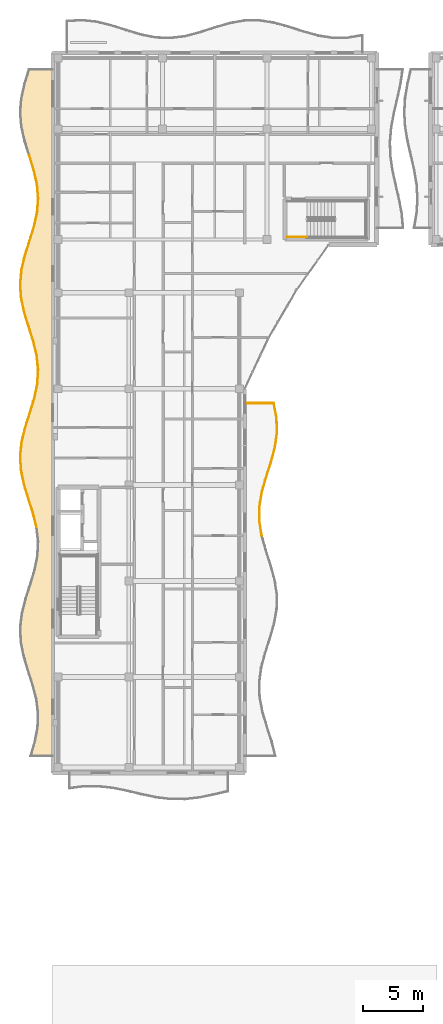
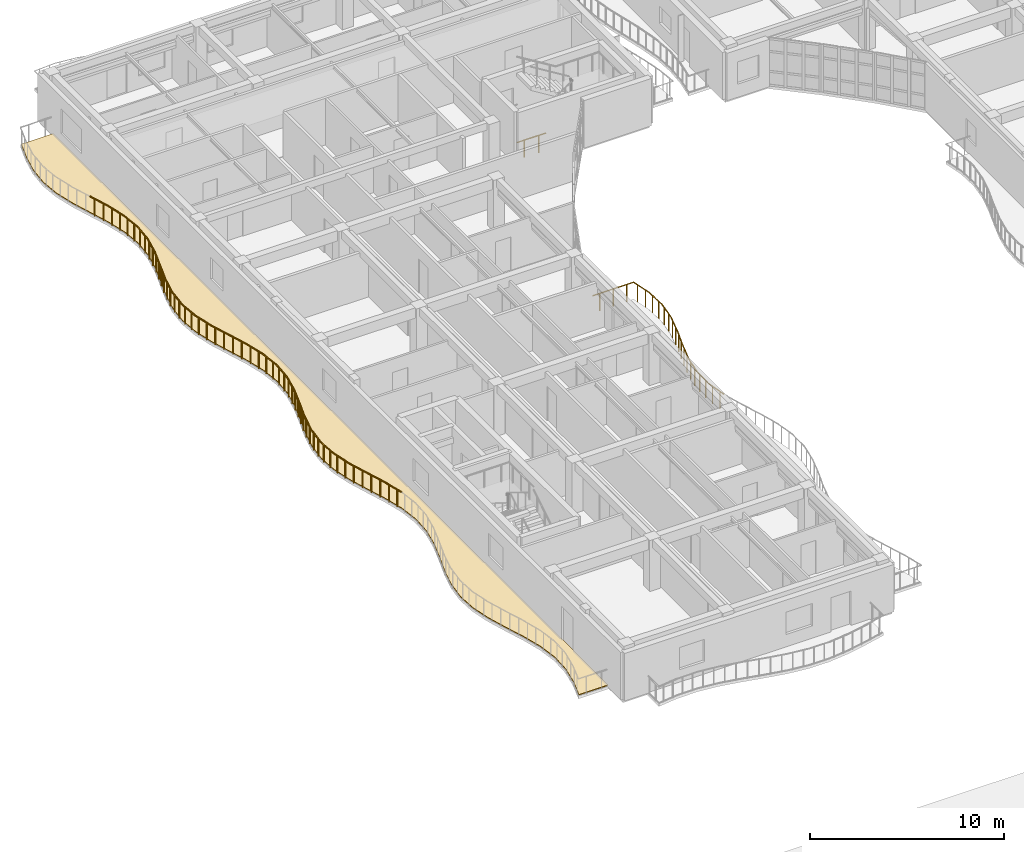
# One storey, part 72 of 89: 37 railings, 1 covering.
"""IFC4 building model written with IfcOpenShell, lengths in metres."""

from ifc_helpers import new_model, si_unit, direction, frame, origin, origin_2d, place, context, subcontext, project, spatial, polyline, circle, outline, extrude, material, layer, layer_set, type_object, element, save


model = new_model("IFC4")

# Units and contexts
model_context = context("Model", 3, precision=1e-05, world=origin(), true_north=direction((0.0, 1.0)))
body_context = subcontext(model_context, "Body", "Model", "MODEL_VIEW")
ifc_project = project(units=[si_unit("LENGTHUNIT", "METRE"), si_unit("AREAUNIT", "SQUARE_METRE"), si_unit("VOLUMEUNIT", "CUBIC_METRE"), si_unit("PLANEANGLEUNIT", "RADIAN"), si_unit("MASSUNIT", "GRAM", prefix="KILO")], contexts=[model_context])

# Site, building, storey
site_placement = place(None, origin())
site = spatial("IfcSite", under=ifc_project, at=site_placement, CompositionType="ELEMENT")
building_placement = place(site_placement, origin())
building = spatial("IfcBuilding", under=site, at=building_placement, Name="Keldmere Railside Commons", CompositionType="ELEMENT")
storey_placement = place(building_placement, frame((0.0, 0.0, 7.360107421875)))
storey = spatial("IfcBuildingStorey", under=building, at=storey_placement, Name="L02", CompositionType="ELEMENT", Elevation=7.360107421875)

# Railings
ifc_material_1 = material(Name="Steel F-24 (S235)", Category="steel")
railing_type_1 = type_object("IfcRailingType", Name="Balcony & Terrace Steel Balustrade 1100", PredefinedType="BALUSTRADE", material=ifc_material_1)
railing_1_placement = place(storey_placement, frame((25.415771484375, 75.77490234375, 0.0)))
element("IfcRailing", 1, at=railing_1_placement, inside=storey, type_object=railing_type_1, Name="GR-1 GRD-L02-0169", PredefinedType="BALUSTRADE", context=body_context, shape_type="SweptSolid", body=[
    extrude(circle(Radius=0.02392578125, at=origin_2d()), frame((0.0, 0.0, 1.076171875), z_axis=(-0.156093975972, 0.987742208608, 0.0), x_axis=(-0.987742208608, -0.156093975972, 0.0)), (0.0, 0.0, 1.0), 1.240234375),
    extrude(circle(Radius=0.02099609375, at=origin_2d()), frame((-0.04833984375, 0.30615234375, 0.0)), (0.0, 0.0, 1.0), 1.048095703125),
    extrude(circle(Radius=0.02099609375, at=origin_2d()), frame((-0.145263671875, 0.9189453125, 0.0)), (0.0, 0.0, 1.0), 1.048095703125),
])
railing_2_placement = place(storey_placement, frame((25.22216796875, 77.0, 0.0)))
element("IfcRailing", 2, at=railing_2_placement, inside=storey, type_object=railing_type_1, Name="GR-1 GRD-L02-0170", PredefinedType="BALUSTRADE", context=body_context, shape_type="SweptSolid", body=[
    extrude(circle(Radius=0.02392578125, at=origin_2d()), frame((0.0, 0.0, 1.076171875), z_axis=(0.007572521018, 0.999971328052, 0.0), x_axis=(-0.999971328052, 0.007572521018, 0.0)), (0.0, 0.0, 1.0), 1.22509765625),
    extrude(circle(Radius=0.02099609375, at=origin_2d()), frame((0.00244140625, 0.30615234375, 0.0)), (0.0, 0.0, 1.0), 1.048095703125),
    extrude(circle(Radius=0.02099609375, at=origin_2d()), frame((0.0068359375, 0.9189453125, 0.0)), (0.0, 0.0, 1.0), 1.048095703125),
])
railing_3_placement = place(storey_placement, frame((25.2314453125, 78.22509765625, 0.0)))
element("IfcRailing", 3, at=railing_3_placement, inside=storey, type_object=railing_type_1, Name="GR-1 GRD-L02-0171", PredefinedType="BALUSTRADE", context=body_context, shape_type="SweptSolid", body=[
    extrude(circle(Radius=0.02392578125, at=origin_2d()), frame((0.0, 0.0, 1.076171875), z_axis=(0.168952909485, 0.985624124287, 0.0), x_axis=(-0.985624124287, 0.168952909485, 0.0)), (0.0, 0.0, 1.0), 1.24267578125),
    extrude(circle(Radius=0.02099609375, at=origin_2d()), frame((0.052490234375, 0.30615234375, 0.0)), (0.0, 0.0, 1.0), 1.048095703125),
    extrude(circle(Radius=0.02099609375, at=origin_2d()), frame((0.157470703125, 0.918701171875, 0.0)), (0.0, 0.0, 1.0), 1.048095703125),
])
railing_4_placement = place(storey_placement, frame((25.44140625, 79.449951171875, 0.0)))
element("IfcRailing", 4, at=railing_4_placement, inside=storey, type_object=railing_type_1, Name="GR-1 GRD-L02-0172", PredefinedType="BALUSTRADE", context=body_context, shape_type="SweptSolid", body=[
    extrude(circle(Radius=0.02392578125, at=origin_2d()), frame((0.0, 0.0, 1.076171875), z_axis=(0.276011074151, 0.961154455302, 0.0), x_axis=(-0.961154455302, 0.276011074151, 0.0)), (0.0, 0.0, 1.0), 1.274658203125),
    extrude(circle(Radius=0.02099609375, at=origin_2d()), frame((0.087890625, 0.30615234375, 0.0)), (0.0, 0.0, 1.0), 1.048095703125),
    extrude(circle(Radius=0.02099609375, at=origin_2d()), frame((0.263916015625, 0.9189453125, 0.0)), (0.0, 0.0, 1.0), 1.048095703125),
])
railing_5_placement = place(storey_placement, frame((25.793212890625, 80.675048828125, 0.0)))
element("IfcRailing", 5, at=railing_5_placement, inside=storey, type_object=railing_type_1, Name="GR-1 GRD-L02-0173", PredefinedType="BALUSTRADE", context=body_context, shape_type="SweptSolid", body=[
    extrude(circle(Radius=0.02392578125, at=origin_2d()), frame((0.0, 0.0, 1.076171875), z_axis=(0.307279866195, 0.951619190554, 0.0), x_axis=(-0.951619190554, 0.307279866195, 0.0)), (0.0, 0.0, 1.0), 1.287109375),
    extrude(circle(Radius=0.02099609375, at=origin_2d()), frame((0.098876953125, 0.30615234375, 0.0)), (0.0, 0.0, 1.0), 1.048095703125),
    extrude(circle(Radius=0.02099609375, at=origin_2d()), frame((0.296630859375, 0.918701171875, 0.0)), (0.0, 0.0, 1.0), 1.048095703125),
])
railing_6_placement = place(storey_placement, frame((26.188720703125, 81.89990234375, 0.0)))
element("IfcRailing", 6, at=railing_6_placement, inside=storey, type_object=railing_type_1, Name="GR-1 GRD-L02-0174", PredefinedType="BALUSTRADE", context=body_context, shape_type="SweptSolid", body=[
    extrude(circle(Radius=0.02392578125, at=origin_2d()), frame((0.0, 0.0, 1.076171875), z_axis=(0.259255559119, 0.965808756984, 0.0), x_axis=(-0.965808756984, 0.259255559119, 0.0)), (0.0, 0.0, 1.0), 1.2685546875),
    extrude(circle(Radius=0.02099609375, at=origin_2d()), frame((0.082275390625, 0.30615234375, 0.0)), (0.0, 0.0, 1.0), 1.048095703125),
    extrude(circle(Radius=0.02099609375, at=origin_2d()), frame((0.24658203125, 0.9189453125, 0.0)), (0.0, 0.0, 1.0), 1.048095703125),
])
railing_7_placement = place(storey_placement, frame((26.517578125, 83.125, 0.0)))
element("IfcRailing", 7, at=railing_7_placement, inside=storey, type_object=railing_type_1, Name="GR-1 GRD-L02-0175", PredefinedType="BALUSTRADE", context=body_context, shape_type="SweptSolid", body=[
    extrude(circle(Radius=0.02392578125, at=origin_2d()), frame((0.0, 0.0, 1.076171875), z_axis=(0.137772773224, 0.99046386252, 0.0), x_axis=(-0.99046386252, 0.137772773224, 0.0)), (0.0, 0.0, 1.0), 1.23681640625),
    extrude(circle(Radius=0.02099609375, at=origin_2d()), frame((0.04248046875, 0.30615234375, 0.0)), (0.0, 0.0, 1.0), 1.048095703125),
    extrude(circle(Radius=0.02099609375, at=origin_2d()), frame((0.1279296875, 0.9189453125, 0.0)), (0.0, 0.0, 1.0), 1.048095703125),
])
railing_8_placement = place(storey_placement, frame((26.68798828125, 84.35009765625, 0.0)))
element("IfcRailing", 8, at=railing_8_placement, inside=storey, type_object=railing_type_1, Name="GR-1 GRD-L02-0176", PredefinedType="BALUSTRADE", context=body_context, shape_type="SweptSolid", body=[
    extrude(circle(Radius=0.02392578125, at=origin_2d()), frame((0.0, 0.0, 1.076171875), z_axis=(-0.028690596168, 0.999588340114, 0.0), x_axis=(-0.999588340114, -0.028690596168, 0.0)), (0.0, 0.0, 1.0), 1.225341796875),
    extrude(circle(Radius=0.02099609375, at=origin_2d()), frame((-0.0087890625, 0.30615234375, 0.0)), (0.0, 0.0, 1.0), 1.048095703125),
    extrude(circle(Radius=0.02099609375, at=origin_2d()), frame((-0.0263671875, 0.918701171875, 0.0)), (0.0, 0.0, 1.0), 1.048095703125),
])
railing_9_placement = place(storey_placement, frame((26.65283203125, 85.574951171875, 0.0)))
element("IfcRailing", 9, at=railing_9_placement, inside=storey, type_object=railing_type_1, Name="GR-1 GRD-L02-0177", PredefinedType="BALUSTRADE", context=body_context, shape_type="SweptSolid", body=[
    extrude(circle(Radius=0.02392578125, at=origin_2d()), frame((0.0, 0.0, 1.076171875), z_axis=(-0.185636186004, 0.982618545747, 0.0), x_axis=(-0.982618545747, -0.185636186004, 0.0)), (0.0, 0.0, 1.0), 1.246826171875),
    extrude(circle(Radius=0.02099609375, at=origin_2d()), frame((-0.057861328125, 0.30615234375, 0.0)), (0.0, 0.0, 1.0), 1.048095703125),
    extrude(circle(Radius=0.02099609375, at=origin_2d()), frame((-0.173583984375, 0.9189453125, 0.0)), (0.0, 0.0, 1.0), 1.048095703125),
])
railing_10_placement = place(storey_placement, frame((26.42138671875, 86.800048828125, 0.0)))
element("IfcRailing", 10, at=railing_10_placement, inside=storey, type_object=railing_type_1, Name="GR-1 GRD-L02-0178", PredefinedType="BALUSTRADE", context=body_context, shape_type="SweptSolid", body=[
    extrude(circle(Radius=0.02392578125, at=origin_2d()), frame((0.0, 0.0, 1.076171875), z_axis=(-1.0, 0.0, 0.0), x_axis=(0.0, -1.0, 0.0)), (0.0, 0.0, 1.0), 2.42138671875),
    extrude(circle(Radius=0.02099609375, at=origin_2d()), frame((-0.403564453125, 0.0, 0.0)), (0.0, 0.0, 1.0), 1.048095703125),
    extrude(circle(Radius=0.02099609375, at=origin_2d()), frame((-1.210693359375, 0.0, 0.0)), (0.0, 0.0, 1.0), 1.048095703125),
    extrude(circle(Radius=0.02099609375, at=origin_2d()), frame((-2.017822265625, 0.0, 0.0)), (0.0, 0.0, 1.0), 1.048095703125),
])
railing_11_placement = place(storey_placement, frame((6.65869140625, 76.466796875, 0.0)))
element("IfcRailing", 11, at=railing_11_placement, inside=storey, type_object=railing_type_1, Name="GR-1 GRD-L02-0196", PredefinedType="BALUSTRADE", context=body_context, shape_type="SweptSolid", body=[
    extrude(circle(Radius=0.02392578125, at=origin_2d()), frame((0.0, 0.0, 1.076171875), z_axis=(-0.242722717095, 0.970095707962, 0.0), x_axis=(-0.970095707962, -0.242722717095, 0.0)), (0.0, 0.0, 1.0), 1.22802734375),
    extrude(circle(Radius=0.02099609375, at=origin_2d()), frame((-0.074462890625, 0.2978515625, 0.0)), (0.0, 0.0, 1.0), 1.048095703125),
    extrude(circle(Radius=0.02099609375, at=origin_2d()), frame((-0.2236328125, 0.8935546875, 0.0)), (0.0, 0.0, 1.0), 1.048095703125),
])
railing_12_placement = place(storey_placement, frame((6.360595703125, 77.658203125, 0.0)))
element("IfcRailing", 12, at=railing_12_placement, inside=storey, type_object=railing_type_1, Name="GR-1 GRD-L02-0197", PredefinedType="BALUSTRADE", context=body_context, shape_type="SweptSolid", body=[
    extrude(circle(Radius=0.02392578125, at=origin_2d()), frame((0.0, 0.0, 1.076171875), z_axis=(-0.303847984501, 0.952720526868, 0.0), x_axis=(-0.952720526868, -0.303847984501, 0.0)), (0.0, 0.0, 1.0), 1.2509765625),
    extrude(circle(Radius=0.02099609375, at=origin_2d()), frame((-0.094970703125, 0.2978515625, 0.0)), (0.0, 0.0, 1.0), 1.048095703125),
    extrude(circle(Radius=0.02099609375, at=origin_2d()), frame((-0.28515625, 0.89404296875, 0.0)), (0.0, 0.0, 1.0), 1.048095703125),
])
railing_13_placement = place(storey_placement, frame((5.98046875, 78.85009765625, 0.0)))
element("IfcRailing", 13, at=railing_13_placement, inside=storey, type_object=railing_type_1, Name="GR-1 GRD-L02-0198", PredefinedType="BALUSTRADE", context=body_context, shape_type="SweptSolid", body=[
    extrude(circle(Radius=0.02392578125, at=origin_2d()), frame((0.0, 0.0, 1.076171875), z_axis=(-0.290709159307, 0.956811467686, 0.0), x_axis=(-0.956811467686, -0.290709159307, 0.0)), (0.0, 0.0, 1.0), 1.245361328125),
    extrude(circle(Radius=0.02099609375, at=origin_2d()), frame((-0.090576171875, 0.2978515625, 0.0)), (0.0, 0.0, 1.0), 1.048095703125),
    extrude(circle(Radius=0.02099609375, at=origin_2d()), frame((-0.271484375, 0.893798828125, 0.0)), (0.0, 0.0, 1.0), 1.048095703125),
])
railing_14_placement = place(storey_placement, frame((5.618408203125, 80.041748046875, 0.0)))
element("IfcRailing", 14, at=railing_14_placement, inside=storey, type_object=railing_type_1, Name="GR-1 GRD-L02-0199", PredefinedType="BALUSTRADE", context=body_context, shape_type="SweptSolid", body=[
    extrude(circle(Radius=0.02392578125, at=origin_2d()), frame((0.0, 0.0, 1.076171875), z_axis=(-0.203401505566, 0.979095412886, 0.0), x_axis=(-0.979095412886, -0.203401505566, 0.0)), (0.0, 0.0, 1.0), 1.217041015625),
    extrude(circle(Radius=0.02099609375, at=origin_2d()), frame((-0.06201171875, 0.2978515625, 0.0)), (0.0, 0.0, 1.0), 1.048095703125),
    extrude(circle(Radius=0.02099609375, at=origin_2d()), frame((-0.185546875, 0.893798828125, 0.0)), (0.0, 0.0, 1.0), 1.048095703125),
])
railing_15_placement = place(storey_placement, frame((5.370849609375, 81.2333984375, 0.0)))
element("IfcRailing", 15, at=railing_15_placement, inside=storey, type_object=railing_type_1, Name="GR-1 GRD-L02-0200", PredefinedType="BALUSTRADE", context=body_context, shape_type="SweptSolid", body=[
    extrude(circle(Radius=0.02392578125, at=origin_2d()), frame((0.0, 0.0, 1.076171875), z_axis=(-0.057271138124, 0.998358661373, 0.0), x_axis=(-0.998358661373, -0.057271138124, 0.0)), (0.0, 0.0, 1.0), 1.193603515625),
    extrude(circle(Radius=0.02099609375, at=origin_2d()), frame((-0.01708984375, 0.2978515625, 0.0)), (0.0, 0.0, 1.0), 1.048095703125),
    extrude(circle(Radius=0.02099609375, at=origin_2d()), frame((-0.05126953125, 0.893798828125, 0.0)), (0.0, 0.0, 1.0), 1.048095703125),
])
railing_16_placement = place(storey_placement, frame((5.302490234375, 82.425048828125, 0.0)))
element("IfcRailing", 16, at=railing_16_placement, inside=storey, type_object=railing_type_1, Name="GR-1 GRD-L02-0201", PredefinedType="BALUSTRADE", context=body_context, shape_type="SweptSolid", body=[
    extrude(circle(Radius=0.02392578125, at=origin_2d()), frame((0.0, 0.0, 1.076171875), z_axis=(0.107949777662, 0.994156348621, 0.0), x_axis=(-0.994156348621, 0.107949777662, 0.0)), (0.0, 0.0, 1.0), 1.19873046875),
    extrude(circle(Radius=0.02099609375, at=origin_2d()), frame((0.0322265625, 0.2978515625, 0.0)), (0.0, 0.0, 1.0), 1.048095703125),
    extrude(circle(Radius=0.02099609375, at=origin_2d()), frame((0.09716796875, 0.893798828125, 0.0)), (0.0, 0.0, 1.0), 1.048095703125),
])
railing_17_placement = place(storey_placement, frame((5.431884765625, 83.61669921875, 0.0)))
element("IfcRailing", 17, at=railing_17_placement, inside=storey, type_object=railing_type_1, Name="GR-1 GRD-L02-0202", PredefinedType="BALUSTRADE", context=body_context, shape_type="SweptSolid", body=[
    extrude(circle(Radius=0.02392578125, at=origin_2d()), frame((0.0, 0.0, 1.076171875), z_axis=(0.238554362772, 0.971129144863, 0.0), x_axis=(-0.971129144863, 0.238554362772, 0.0)), (0.0, 0.0, 1.0), 1.22705078125),
    extrude(circle(Radius=0.02099609375, at=origin_2d()), frame((0.0732421875, 0.2978515625, 0.0)), (0.0, 0.0, 1.0), 1.048095703125),
    extrude(circle(Radius=0.02099609375, at=origin_2d()), frame((0.219482421875, 0.893798828125, 0.0)), (0.0, 0.0, 1.0), 1.048095703125),
])
railing_18_placement = place(storey_placement, frame((5.724609375, 84.808349609375, 0.0)))
element("IfcRailing", 18, at=railing_18_placement, inside=storey, type_object=railing_type_1, Name="GR-1 GRD-L02-0203", PredefinedType="BALUSTRADE", context=body_context, shape_type="SweptSolid", body=[
    extrude(circle(Radius=0.02392578125, at=origin_2d()), frame((0.0, 0.0, 1.076171875), z_axis=(0.302840966004, 0.953041105782, 0.0), x_axis=(-0.953041105782, 0.302840966004, 0.0)), (0.0, 0.0, 1.0), 1.250244140625),
    extrude(circle(Radius=0.02099609375, at=origin_2d()), frame((0.0947265625, 0.2978515625, 0.0)), (0.0, 0.0, 1.0), 1.048095703125),
    extrude(circle(Radius=0.02099609375, at=origin_2d()), frame((0.283935546875, 0.893798828125, 0.0)), (0.0, 0.0, 1.0), 1.048095703125),
])
railing_19_placement = place(storey_placement, frame((6.103271484375, 86.0, 0.0)))
element("IfcRailing", 19, at=railing_19_placement, inside=storey, type_object=railing_type_1, Name="GR-1 GRD-L02-0204", PredefinedType="BALUSTRADE", context=body_context, shape_type="SweptSolid", body=[
    extrude(circle(Radius=0.02392578125, at=origin_2d()), frame((0.0, 0.0, 1.076171875), z_axis=(0.292681372492, 0.956210026195, 0.0), x_axis=(-0.956210026195, 0.292681372492, 0.0)), (0.0, 0.0, 1.0), 1.246337890625),
    extrude(circle(Radius=0.02099609375, at=origin_2d()), frame((0.09130859375, 0.2978515625, 0.0)), (0.0, 0.0, 1.0), 1.048095703125),
    extrude(circle(Radius=0.02099609375, at=origin_2d()), frame((0.2734375, 0.893798828125, 0.0)), (0.0, 0.0, 1.0), 1.048095703125),
])
railing_20_placement = place(storey_placement, frame((6.468017578125, 87.191650390625, 0.0)))
element("IfcRailing", 20, at=railing_20_placement, inside=storey, type_object=railing_type_1, Name="GR-1 GRD-L02-0205", PredefinedType="BALUSTRADE", context=body_context, shape_type="SweptSolid", body=[
    extrude(circle(Radius=0.02392578125, at=origin_2d()), frame((0.0, 0.0, 1.076171875), z_axis=(0.208584810139, 0.9780042827, 0.0), x_axis=(-0.9780042827, 0.208584810139, 0.0)), (0.0, 0.0, 1.0), 1.218505859375),
    extrude(circle(Radius=0.02099609375, at=origin_2d()), frame((0.0634765625, 0.2978515625, 0.0)), (0.0, 0.0, 1.0), 1.048095703125),
    extrude(circle(Radius=0.02099609375, at=origin_2d()), frame((0.190673828125, 0.893798828125, 0.0)), (0.0, 0.0, 1.0), 1.048095703125),
])
railing_21_placement = place(storey_placement, frame((6.72216796875, 88.38330078125, 0.0)))
element("IfcRailing", 21, at=railing_21_placement, inside=storey, type_object=railing_type_1, Name="GR-1 GRD-L02-0206", PredefinedType="BALUSTRADE", context=body_context, shape_type="SweptSolid", body=[
    extrude(circle(Radius=0.02392578125, at=origin_2d()), frame((0.0, 0.0, 1.076171875), z_axis=(0.063994759972, 0.997950234579, 0.0), x_axis=(-0.997950234579, 0.063994759972, 0.0)), (0.0, 0.0, 1.0), 1.194091796875),
    extrude(circle(Radius=0.02099609375, at=origin_2d()), frame((0.01904296875, 0.2978515625, 0.0)), (0.0, 0.0, 1.0), 1.048095703125),
    extrude(circle(Radius=0.02099609375, at=origin_2d()), frame((0.057373046875, 0.893798828125, 0.0)), (0.0, 0.0, 1.0), 1.048095703125),
])
railing_22_placement = place(storey_placement, frame((6.798583984375, 89.574951171875, 0.0)))
element("IfcRailing", 22, at=railing_22_placement, inside=storey, type_object=railing_type_1, Name="GR-1 GRD-L02-0207", PredefinedType="BALUSTRADE", context=body_context, shape_type="SweptSolid", body=[
    extrude(circle(Radius=0.02392578125, at=origin_2d()), frame((0.0, 0.0, 1.076171875), z_axis=(-0.101299613584, 0.994855963589, 0.0), x_axis=(-0.994855963589, -0.101299613584, 0.0)), (0.0, 0.0, 1.0), 1.19775390625),
    extrude(circle(Radius=0.02099609375, at=origin_2d()), frame((-0.0302734375, 0.2978515625, 0.0)), (0.0, 0.0, 1.0), 1.048095703125),
    extrude(circle(Radius=0.02099609375, at=origin_2d()), frame((-0.091064453125, 0.893798828125, 0.0)), (0.0, 0.0, 1.0), 1.048095703125),
])
railing_23_placement = place(storey_placement, frame((6.67724609375, 90.7666015625, 0.0)))
element("IfcRailing", 23, at=railing_23_placement, inside=storey, type_object=railing_type_1, Name="GR-1 GRD-L02-0208", PredefinedType="BALUSTRADE", context=body_context, shape_type="SweptSolid", body=[
    extrude(circle(Radius=0.02392578125, at=origin_2d()), frame((0.0, 0.0, 1.076171875), z_axis=(-0.234231640904, 0.972180815692, 0.0), x_axis=(-0.972180815692, -0.234231640904, 0.0)), (0.0, 0.0, 1.0), 1.225830078125),
    extrude(circle(Radius=0.02099609375, at=origin_2d()), frame((-0.07177734375, 0.2978515625, 0.0)), (0.0, 0.0, 1.0), 1.048095703125),
    extrude(circle(Radius=0.02099609375, at=origin_2d()), frame((-0.21533203125, 0.893798828125, 0.0)), (0.0, 0.0, 1.0), 1.048095703125),
])
railing_24_placement = place(storey_placement, frame((6.39013671875, 91.958251953125, 0.0)))
element("IfcRailing", 24, at=railing_24_placement, inside=storey, type_object=railing_type_1, Name="GR-1 GRD-L02-0209", PredefinedType="BALUSTRADE", context=body_context, shape_type="SweptSolid", body=[
    extrude(circle(Radius=0.02392578125, at=origin_2d()), frame((0.0, 0.0, 1.076171875), z_axis=(-0.301776312614, 0.953378758493, 0.0), x_axis=(-0.953378758493, -0.301776312614, 0.0)), (0.0, 0.0, 1.0), 1.25),
    extrude(circle(Radius=0.02099609375, at=origin_2d()), frame((-0.09423828125, 0.2978515625, 0.0)), (0.0, 0.0, 1.0), 1.048095703125),
    extrude(circle(Radius=0.02099609375, at=origin_2d()), frame((-0.282958984375, 0.893798828125, 0.0)), (0.0, 0.0, 1.0), 1.048095703125),
])
railing_25_placement = place(storey_placement, frame((6.012939453125, 93.14990234375, 0.0)))
element("IfcRailing", 25, at=railing_25_placement, inside=storey, type_object=railing_type_1, Name="GR-1 GRD-L02-0210", PredefinedType="BALUSTRADE", context=body_context, shape_type="SweptSolid", body=[
    extrude(circle(Radius=0.02392578125, at=origin_2d()), frame((0.0, 0.0, 1.076171875), z_axis=(-0.294415969961, 0.955677370577, 0.0), x_axis=(-0.955677370577, -0.294415969961, 0.0)), (0.0, 0.0, 1.0), 1.2470703125),
    extrude(circle(Radius=0.02099609375, at=origin_2d()), frame((-0.091796875, 0.2978515625, 0.0)), (0.0, 0.0, 1.0), 1.048095703125),
    extrude(circle(Radius=0.02099609375, at=origin_2d()), frame((-0.275390625, 0.89404296875, 0.0)), (0.0, 0.0, 1.0), 1.048095703125),
])
railing_26_placement = place(storey_placement, frame((5.645751953125, 94.341796875, 0.0)))
element("IfcRailing", 26, at=railing_26_placement, inside=storey, type_object=railing_type_1, Name="GR-1 GRD-L02-0211", PredefinedType="BALUSTRADE", context=body_context, shape_type="SweptSolid", body=[
    extrude(circle(Radius=0.02392578125, at=origin_2d()), frame((0.0, 0.0, 1.076171875), z_axis=(-0.213601354373, 0.976920908472, 0.0), x_axis=(-0.976920908472, -0.213601354373, 0.0)), (0.0, 0.0, 1.0), 1.219482421875),
    extrude(circle(Radius=0.02099609375, at=origin_2d()), frame((-0.065185546875, 0.2978515625, 0.0)), (0.0, 0.0, 1.0), 1.048095703125),
    extrude(circle(Radius=0.02099609375, at=origin_2d()), frame((-0.1953125, 0.8935546875, 0.0)), (0.0, 0.0, 1.0), 1.048095703125),
])
railing_27_placement = place(storey_placement, frame((5.38525390625, 95.533203125, 0.0)))
element("IfcRailing", 27, at=railing_27_placement, inside=storey, type_object=railing_type_1, Name="GR-1 GRD-L02-0212", PredefinedType="BALUSTRADE", context=body_context, shape_type="SweptSolid", body=[
    extrude(circle(Radius=0.02392578125, at=origin_2d()), frame((0.0, 0.0, 1.076171875), z_axis=(-0.070898563111, 0.997483530565, 0.0), x_axis=(-0.997483530565, -0.070898563111, 0.0)), (0.0, 0.0, 1.0), 1.19482421875),
    extrude(circle(Radius=0.02099609375, at=origin_2d()), frame((-0.021240234375, 0.2978515625, 0.0)), (0.0, 0.0, 1.0), 1.048095703125),
    extrude(circle(Radius=0.02099609375, at=origin_2d()), frame((-0.0634765625, 0.89404296875, 0.0)), (0.0, 0.0, 1.0), 1.048095703125),
])
railing_28_placement = place(storey_placement, frame((5.300537109375, 96.72509765625, 0.0)))
element("IfcRailing", 28, at=railing_28_placement, inside=storey, type_object=railing_type_1, Name="GR-1 GRD-L02-0213", PredefinedType="BALUSTRADE", context=body_context, shape_type="SweptSolid", body=[
    extrude(circle(Radius=0.02392578125, at=origin_2d()), frame((0.0, 0.0, 1.076171875), z_axis=(0.094635842701, 0.995511957375, 0.0), x_axis=(-0.995511957375, 0.094635842701, 0.0)), (0.0, 0.0, 1.0), 1.197021484375),
    extrude(circle(Radius=0.02099609375, at=origin_2d()), frame((0.0283203125, 0.2978515625, 0.0)), (0.0, 0.0, 1.0), 1.048095703125),
    extrude(circle(Radius=0.02099609375, at=origin_2d()), frame((0.0849609375, 0.893798828125, 0.0)), (0.0, 0.0, 1.0), 1.048095703125),
])
railing_29_placement = place(storey_placement, frame((5.413818359375, 97.916748046875, 0.0)))
element("IfcRailing", 29, at=railing_29_placement, inside=storey, type_object=railing_type_1, Name="GR-1 GRD-L02-0214", PredefinedType="BALUSTRADE", context=body_context, shape_type="SweptSolid", body=[
    extrude(circle(Radius=0.02392578125, at=origin_2d()), frame((0.0, 0.0, 1.076171875), z_axis=(0.229894981593, 0.973215442458, 0.0), x_axis=(-0.973215442458, 0.229894981593, 0.0)), (0.0, 0.0, 1.0), 1.224365234375),
    extrude(circle(Radius=0.02099609375, at=origin_2d()), frame((0.0703125, 0.2978515625, 0.0)), (0.0, 0.0, 1.0), 1.048095703125),
    extrude(circle(Radius=0.02099609375, at=origin_2d()), frame((0.211181640625, 0.893798828125, 0.0)), (0.0, 0.0, 1.0), 1.048095703125),
])
railing_30_placement = place(storey_placement, frame((5.6953125, 99.1083984375, 0.0)))
element("IfcRailing", 30, at=railing_30_placement, inside=storey, type_object=railing_type_1, Name="GR-1 GRD-L02-0215", PredefinedType="BALUSTRADE", context=body_context, shape_type="SweptSolid", body=[
    extrude(circle(Radius=0.02392578125, at=origin_2d()), frame((0.0, 0.0, 1.076171875), z_axis=(0.300355017098, 0.953827481101, 0.0), x_axis=(-0.953827481101, 0.300355017098, 0.0)), (0.0, 0.0, 1.0), 1.249267578125),
    extrude(circle(Radius=0.02099609375, at=origin_2d()), frame((0.09375, 0.2978515625, 0.0)), (0.0, 0.0, 1.0), 1.048095703125),
    extrude(circle(Radius=0.02099609375, at=origin_2d()), frame((0.281494140625, 0.893798828125, 0.0)), (0.0, 0.0, 1.0), 1.048095703125),
])
railing_31_placement = place(storey_placement, frame((6.070556640625, 100.300048828125, 0.0)))
element("IfcRailing", 31, at=railing_31_placement, inside=storey, type_object=railing_type_1, Name="GR-1 GRD-L02-0216", PredefinedType="BALUSTRADE", context=body_context, shape_type="SweptSolid", body=[
    extrude(circle(Radius=0.02392578125, at=origin_2d()), frame((0.0, 0.0, 1.076171875), z_axis=(0.29643614104, 0.955052676183, 0.0), x_axis=(-0.955052676183, 0.29643614104, 0.0)), (0.0, 0.0, 1.0), 1.247802734375),
    extrude(circle(Radius=0.02099609375, at=origin_2d()), frame((0.092529296875, 0.2978515625, 0.0)), (0.0, 0.0, 1.0), 1.048095703125),
    extrude(circle(Radius=0.02099609375, at=origin_2d()), frame((0.27734375, 0.893798828125, 0.0)), (0.0, 0.0, 1.0), 1.048095703125),
])
railing_32_placement = place(storey_placement, frame((6.4404296875, 101.49169921875, 0.0)))
element("IfcRailing", 32, at=railing_32_placement, inside=storey, type_object=railing_type_1, Name="GR-1 GRD-L02-0217", PredefinedType="BALUSTRADE", context=body_context, shape_type="SweptSolid", body=[
    extrude(circle(Radius=0.02392578125, at=origin_2d()), frame((0.0, 0.0, 1.076171875), z_axis=(0.218327418198, 0.975875575298, 0.0), x_axis=(-0.975875575298, 0.218327418198, 0.0)), (0.0, 0.0, 1.0), 1.22119140625),
    extrude(circle(Radius=0.02099609375, at=origin_2d()), frame((0.066650390625, 0.2978515625, 0.0)), (0.0, 0.0, 1.0), 1.048095703125),
    extrude(circle(Radius=0.02099609375, at=origin_2d()), frame((0.199951171875, 0.893798828125, 0.0)), (0.0, 0.0, 1.0), 1.048095703125),
])
railing_33_placement = place(storey_placement, frame((6.70703125, 102.683349609375, 0.0)))
element("IfcRailing", 33, at=railing_33_placement, inside=storey, type_object=railing_type_1, Name="GR-1 GRD-L02-0218", PredefinedType="BALUSTRADE", context=body_context, shape_type="SweptSolid", body=[
    extrude(circle(Radius=0.02392578125, at=origin_2d()), frame((0.0, 0.0, 1.076171875), z_axis=(0.077618030041, 0.996983170075, 0.0), x_axis=(-0.996983170075, 0.077618030041, 0.0)), (0.0, 0.0, 1.0), 1.1953125),
    extrude(circle(Radius=0.02099609375, at=origin_2d()), frame((0.023193359375, 0.2978515625, 0.0)), (0.0, 0.0, 1.0), 1.048095703125),
    extrude(circle(Radius=0.02099609375, at=origin_2d()), frame((0.069580078125, 0.893798828125, 0.0)), (0.0, 0.0, 1.0), 1.048095703125),
])
railing_34_placement = place(storey_placement, frame((6.7998046875, 103.875, 0.0)))
element("IfcRailing", 34, at=railing_34_placement, inside=storey, type_object=railing_type_1, Name="GR-1 GRD-L02-0219", PredefinedType="BALUSTRADE", context=body_context, shape_type="SweptSolid", body=[
    extrude(circle(Radius=0.02392578125, at=origin_2d()), frame((0.0, 0.0, 1.076171875), z_axis=(-0.087959326548, 0.996124067008, 0.0), x_axis=(-0.996124067008, -0.087959326548, 0.0)), (0.0, 0.0, 1.0), 1.1962890625),
    extrude(circle(Radius=0.02099609375, at=origin_2d()), frame((-0.0263671875, 0.2978515625, 0.0)), (0.0, 0.0, 1.0), 1.048095703125),
    extrude(circle(Radius=0.02099609375, at=origin_2d()), frame((-0.078857421875, 0.893798828125, 0.0)), (0.0, 0.0, 1.0), 1.048095703125),
])
railing_35_placement = place(storey_placement, frame((6.694580078125, 105.066650390625, 0.0)))
element("IfcRailing", 35, at=railing_35_placement, inside=storey, type_object=railing_type_1, Name="GR-1 GRD-L02-0220", PredefinedType="BALUSTRADE", context=body_context, shape_type="SweptSolid", body=[
    extrude(circle(Radius=0.02392578125, at=origin_2d()), frame((0.0, 0.0, 1.076171875), z_axis=(-0.225355128361, 0.974276688688, 0.0), x_axis=(-0.974276688688, -0.225355128361, 0.0)), (0.0, 0.0, 1.0), 1.22314453125),
    extrude(circle(Radius=0.02099609375, at=origin_2d()), frame((-0.06884765625, 0.2978515625, 0.0)), (0.0, 0.0, 1.0), 1.048095703125),
    extrude(circle(Radius=0.02099609375, at=origin_2d()), frame((-0.206787109375, 0.893798828125, 0.0)), (0.0, 0.0, 1.0), 1.048095703125),
])
railing_36_placement = place(storey_placement, frame((6.4189453125, 106.25830078125, 0.0)))
element("IfcRailing", 36, at=railing_36_placement, inside=storey, type_object=railing_type_1, Name="GR-1 GRD-L02-0221", PredefinedType="BALUSTRADE", context=body_context, shape_type="SweptSolid", body=[
    extrude(circle(Radius=0.02392578125, at=origin_2d()), frame((0.0, 0.0, 1.076171875), z_axis=(-0.298931718046, 0.954274503456, 0.0), x_axis=(-0.954274503456, -0.298931718046, 0.0)), (0.0, 0.0, 1.0), 1.248779296875),
    extrude(circle(Radius=0.02099609375, at=origin_2d()), frame((-0.09326171875, 0.2978515625, 0.0)), (0.0, 0.0, 1.0), 1.048095703125),
    extrude(circle(Radius=0.02099609375, at=origin_2d()), frame((-0.280029296875, 0.893798828125, 0.0)), (0.0, 0.0, 1.0), 1.048095703125),
])
railing_type_2 = type_object("IfcRailingType", Name="Stair Well Steel Guardrail 1100", PredefinedType="BALUSTRADE", material=ifc_material_1)
railing_37_placement = place(storey_placement, frame((27.5, 100.64990234375, 0.0)))
element("IfcRailing", 37, at=railing_37_placement, inside=storey, type_object=railing_type_2, Name="L02 ST-D2 stair guard 8", PredefinedType="BALUSTRADE", context=body_context, shape_type="SweptSolid", body=[
    extrude(circle(Radius=0.02392578125, at=origin_2d()), frame((0.0, 0.0, 1.076171875), z_axis=(1.0, 0.0, 0.0), x_axis=(0.0, 1.0, 0.0)), (0.0, 0.0, 1.0), 1.699951171875),
    extrude(circle(Radius=0.02099609375, at=origin_2d()), frame((0.425048828125, 0.0, 0.0)), (0.0, 0.0, 1.0), 1.048095703125),
    extrude(circle(Radius=0.02099609375, at=origin_2d()), frame((1.27490234375, 0.0, 0.0)), (0.0, 0.0, 1.0), 1.048095703125),
])

# Covering
ifc_material_2 = material(Name="White Precast Concrete C35/45", Category="concrete")
ifc_layer = layer(ifc_material_2, 0.044921875, Name="White Architectural Balcony Ribbon Cladding 45")
ifc_layer_set = layer_set([ifc_layer], Name="White Precast Concrete C35/45")
covering_type = type_object("IfcCoveringType", Name="White Architectural Balcony Ribbon Cladding 45", PredefinedType="FLOORING", material=ifc_layer_set)
covering_placement = place(storey_placement, origin())
element("IfcCovering", 38, at=covering_placement, inside=storey, type_object=covering_type, Name="CLG-WB D L02 CW White Balcony Ribbon", PredefinedType="FLOORING", context=body_context, shape_type="SweptSolid", body=[
    extrude(outline(polyline([(7.9599609375, 114.56005859375), (6.0673828125, 114.56005859375), (5.70556640625, 113.39794921875), (5.436767578125, 112.210693359375), (5.340087890625, 111.025146484375), (5.440673828125, 109.839599609375), (5.71240234375, 108.652099609375), (6.083984375, 107.4619140625), (6.45703125, 106.270263671875), (6.4580078125, 106.267333984375), (6.733642578125, 105.07568359375), (6.734375, 105.0703125), (6.839599609375, 103.87841796875), (6.83984375, 103.875244140625), (6.83984375, 103.871826171875), (6.746826171875, 102.68017578125), (6.74609375, 102.674560546875), (6.4794921875, 101.48291015625), (6.478515625, 101.479736328125), (6.10888671875, 100.2880859375), (6.10888671875, 100.2880859375), (5.73388671875, 99.09765625), (5.45361328125, 97.91015625), (5.3408203125, 96.724609375), (5.425048828125, 95.5390625), (5.684326171875, 94.351806640625), (6.05126953125, 93.161865234375), (6.42822265625, 91.970458984375), (6.428955078125, 91.9677734375), (6.71630859375, 90.776123046875), (6.717041015625, 90.770751953125), (6.83837890625, 89.5791015625), (6.838623046875, 89.57568359375), (6.83837890625, 89.572509765625), (6.761962890625, 88.380615234375), (6.76123046875, 88.375), (6.507080078125, 87.183349609375), (6.506103515625, 87.179931640625), (6.1416015625, 85.98828125), (6.141357421875, 85.98779296875), (5.76318359375, 84.797607421875), (5.471435546875, 83.609619140625), (5.342529296875, 82.424072265625), (5.41064453125, 81.238525390625), (5.6572265625, 80.051513671875), (6.0185546875, 78.86181640625), (6.398681640625, 77.67041015625), (6.3994140625, 77.66796875), (6.697509765625, 76.476318359375), (6.698486328125, 76.47119140625), (6.835693359375, 75.279541015625), (6.8359375, 75.2763671875), (6.8359375, 75.27294921875), (6.77587890625, 74.081298828125), (6.775634765625, 74.078369140625), (6.775146484375, 74.075439453125), (6.533935546875, 72.8837890625), (6.532958984375, 72.880126953125), (6.17431640625, 71.6884765625), (6.174072265625, 71.687744140625), (5.792724609375, 70.497314453125), (5.490478515625, 69.309326171875), (5.345947265625, 68.123291015625), (5.397216796875, 66.93798828125), (5.631103515625, 65.751220703125), (5.986083984375, 64.561767578125), (6.36865234375, 63.37060546875), (6.369140625, 63.368408203125), (6.677734375, 62.1767578125), (6.6787109375, 62.171875), (6.83154296875, 60.97998046875), (6.831787109375, 60.976806640625), (6.831787109375, 60.973388671875), (6.78857421875, 59.78173828125), (6.788330078125, 59.77880859375), (6.787841796875, 59.77587890625), (6.56005859375, 58.584228515625), (6.55908203125, 58.580322265625), (6.2216796875, 57.43994140625), (7.9599609375, 57.43994140625), (7.9599609375, 114.56005859375)])), origin(), (0.0, 0.0, 1.0), 0.044921875),
])

save(model, "model.ifc")
